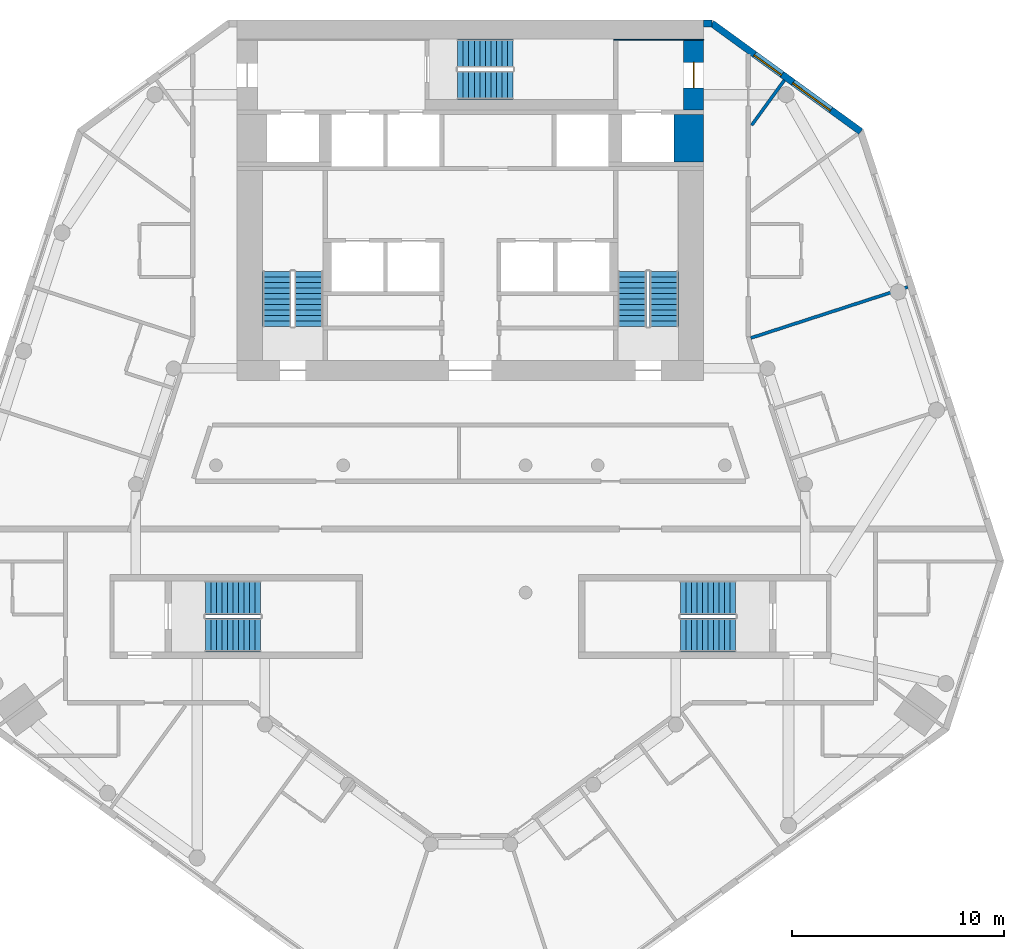
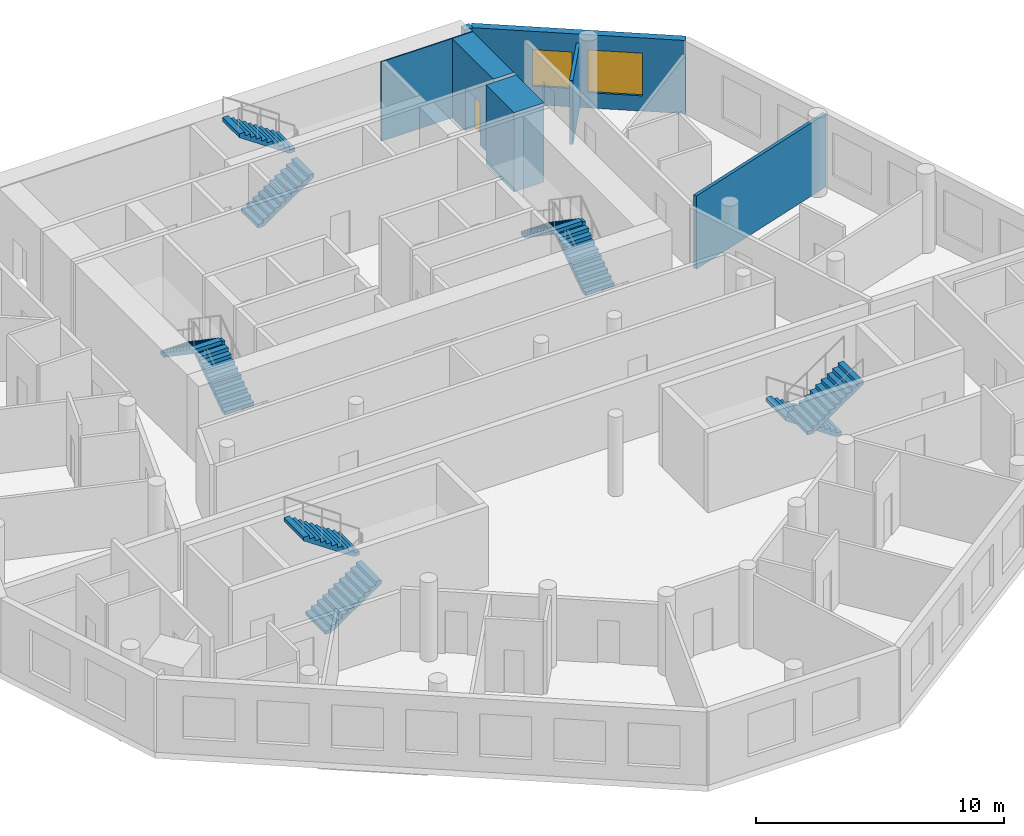
# One storey, part 7 of 9: 10 stair flights, 7 walls, 2 windows, 1 door, 3 openings, 5 elements without a shape of their own.
"""IFC4 building model written with IfcOpenShell, lengths in metres."""

from ifc_helpers import new_model, si_unit, direction, frame, frame_2d, origin, place, context, subcontext, project, spatial, polyline, rectangle, outline, extrude, material, layer, layer_set, type_object, element, fill, aggregate, save


model = new_model("IFC4")

# Units and contexts
model_context = context("Model", 3, precision=1e-05, world=origin(), true_north=direction((0.0, 1.0)))
body_context = subcontext(model_context, "Body", "Model", "MODEL_VIEW")
ifc_project = project(units=[si_unit("LENGTHUNIT", "METRE"), si_unit("AREAUNIT", "SQUARE_METRE"), si_unit("VOLUMEUNIT", "CUBIC_METRE"), si_unit("PLANEANGLEUNIT", "RADIAN"), si_unit("MASSUNIT", "GRAM", prefix="KILO")], contexts=[model_context])

# Site, building, storey
site_placement = place(None, origin())
site = spatial("IfcSite", under=ifc_project, at=site_placement, CompositionType="ELEMENT")
building_placement = place(site_placement, origin())
building = spatial("IfcBuilding", under=site, at=building_placement, Name="White Candle Pilgrim Tower", CompositionType="ELEMENT")
storey_placement = place(building_placement, frame((0.0, 0.0, 187.60009765625)))
storey = spatial("IfcBuildingStorey", under=building, at=storey_placement, Name="L43", CompositionType="ELEMENT", Elevation=187.60009765625)

# Wall
ifc_material_1 = material(Name="Concrete C60/75", Category="concrete")
ifc_layer_1 = layer(ifc_material_1, 1.39990234375)
ifc_layer_set_1 = layer_set([ifc_layer_1], Name="Core wall 1400 mm Concrete C60/75")
wall_type_1 = type_object("IfcWallType", Name="Core wall 1400 mm Concrete C60/75", PredefinedType="SHEAR", material=ifc_layer_set_1)
wall_1_placement = place(storey_placement, frame((80.300048828125, 81.300048828125, 0.0), z_axis=(0.0, 0.0, 1.0), x_axis=(0.0, 1.0, 0.0)))
element("IfcWall", 1, at=wall_1_placement, inside=storey, type_object=wall_type_1, Name="WL-L43-C45", PredefinedType="SHEAR", context=body_context, shape_type="SweptSolid", body=[
    extrude(rectangle(XDim=2.25, YDim=1.39990234375, at=frame_2d((1.125, 0.0))), origin(), (0.0, 0.0, 1.0), 3.89990234375),
])

# Wall, opening, door
ifc_layer_2 = layer(ifc_material_1, 0.949951171875)
ifc_layer_set_2 = layer_set([ifc_layer_2], Name="Core wall 950 mm Concrete C60/75")
wall_type_2 = type_object("IfcWallType", Name="Core wall 950 mm Concrete C60/75", PredefinedType="SHEAR", material=ifc_layer_set_2)
wall_2_placement = place(storey_placement, frame((80.52490234375, 83.75, 0.0), z_axis=(0.0, 0.0, 1.0), x_axis=(0.0, 1.0, 0.0)))
wall_2 = element("IfcWall", 2, at=wall_2_placement, inside=storey, type_object=wall_type_2, Name="WL-L43-C49", PredefinedType="SHEAR", context=body_context, shape_type="SweptSolid", body=[
    extrude(rectangle(XDim=3.300048828125, YDim=0.949951171875, at=frame_2d((1.64990234375, 0.0))), origin(), (0.0, 0.0, 1.0), 3.89990234375),
])
opening_1_placement = place(wall_2_placement, frame((1.050048828125, 0.0, 0.0)))
opening_1 = element("IfcOpeningElement", 3, at=opening_1_placement, cuts=wall_2, Name="Opening T13-010", PredefinedType="OPENING", context=body_context, shape_type="SweptSolid", body=[
    extrude(rectangle(XDim=1.199951171875, YDim=2.10009765625, at=frame_2d((0.60009765625, 1.050048828125))), frame((0.0, 0.48486328125, 0.0), z_axis=(0.0, -1.0, 0.0), x_axis=(1.0, 0.0, 0.0)), (0.0, 0.0, 1.0), 0.969970703125),
])
ifc_material_2 = material(Name="Steel door leaf", Category="steel")
door_type = type_object("IfcDoorType", Name="Fire door 1200 x 2100 EI 30", OperationType="NOTDEFINED", PredefinedType="DOOR", material=ifc_material_2)
door_placement = place(opening_1_placement, origin())
door = element("IfcDoor", 4, at=door_placement, inside=storey, type_object=door_type, Name="Door T13-010", OperationType="SINGLE_SWING_RIGHT", OverallHeight=2.10009765625, OverallWidth=1.199951171875, PredefinedType="DOOR", context=body_context, shape_type="SweptSolid", body=[
    extrude(rectangle(XDim=1.199951171875, YDim=2.10009765625, at=frame_2d((0.60009765625, 1.050048828125))), frame((0.0, 0.02490234375, 0.0), z_axis=(0.0, -1.0, 0.0), x_axis=(1.0, 0.0, 0.0)), (0.0, 0.0, 1.0), 0.050048828125),
])
fill(opening_1, door)

# Wall, openings, windows
ifc_material_3 = material(Name="Precast concrete C40/50", Category="concrete")
ifc_layer_3 = layer(ifc_material_3, 0.320068359375)
ifc_layer_set_3 = layer_set([ifc_layer_3], Name="Facade wall EW1 precast concrete C40/50 pier wall with timber-lined reveals")
wall_type_3 = type_object("IfcWallType", Name="Facade wall EW1 precast concrete C40/50 pier wall with timber-lined reveals", PredefinedType="SOLIDWALL", material=ifc_layer_set_3)
wall_3_placement = place(storey_placement, frame((88.408203125, 82.7373046875, 0.0), z_axis=(0.0, 0.0, 1.0), x_axis=(-0.809009624381, 0.587795396085, 0.0)))
wall_3 = element("IfcWall", 5, at=wall_3_placement, inside=storey, type_object=wall_type_3, Name="Facade wall L43 NE chamfer", PredefinedType="SOLIDWALL", context=body_context, shape_type="SweptSolid", body=[
    extrude(rectangle(XDim=8.68115234375, YDim=0.320068359375, at=frame_2d((4.340576171875, 0.0))), origin(), (0.0, 0.0, 1.0), 3.599853515625),
])
opening_2_placement = place(wall_3_placement, frame((1.740478515625, 0.0, 0.75)))
opening_2 = element("IfcOpeningElement", 6, at=opening_2_placement, cuts=wall_3, Name="Opening W4", PredefinedType="OPENING", context=body_context, shape_type="SweptSolid", body=[
    extrude(rectangle(XDim=2.199951171875, YDim=2.10009765625, at=frame_2d((1.10009765625, 1.050048828125))), frame((0.0, 0.169921875, 0.0), z_axis=(0.0, -1.0, 0.0), x_axis=(1.0, 0.0, 0.0)), (0.0, 0.0, 1.0), 0.340087890625),
])
opening_3_placement = place(wall_3_placement, frame((4.590576171875, 0.0, 0.89990234375)))
opening_3 = element("IfcOpeningElement", 7, at=opening_3_placement, cuts=wall_3, Name="Opening W2", PredefinedType="OPENING", context=body_context, shape_type="SweptSolid", body=[
    extrude(rectangle(XDim=1.60009765625, YDim=1.800048828125, at=frame_2d((0.800048828125, 0.89990234375))), frame((0.0, 0.169921875, 0.0), z_axis=(0.0, -1.0, 0.0), x_axis=(1.0, 0.0, 0.0)), (0.0, 0.0, 1.0), 0.340087890625),
])
ifc_material_4 = material(Name="Timber frame with triple glazing", Category="wood")
window_type_1 = type_object("IfcWindowType", Name="Window W2 1600x1800 timber frame triple glazing", PartitioningType="SINGLE_PANEL", PredefinedType="WINDOW", material=ifc_material_4)
window_1_placement = place(opening_3_placement, origin())
window_1 = element("IfcWindow", 8, at=window_1_placement, inside=storey, type_object=window_type_1, Name="Window W2 L43 NE chamfer 2", OverallHeight=1.800048828125, OverallWidth=1.60009765625, PartitioningType="SINGLE_PANEL", PredefinedType="WINDOW", context=body_context, shape_type="SweptSolid", body=[
    extrude(rectangle(XDim=1.60009765625, YDim=1.800048828125, at=frame_2d((0.800048828125, 0.89990234375))), frame((0.0, 0.070068359375, 0.0), z_axis=(0.0, -1.0, 0.0), x_axis=(1.0, 0.0, 0.0)), (0.0, 0.0, 1.0), 0.06005859375),
])
fill(opening_3, window_1)
window_type_2 = type_object("IfcWindowType", Name="Window W4 2200x2100 timber frame triple glazing", PartitioningType="SINGLE_PANEL", PredefinedType="WINDOW", material=ifc_material_4)
window_2_placement = place(opening_2_placement, origin())
window_2 = element("IfcWindow", 9, at=window_2_placement, inside=storey, type_object=window_type_2, Name="Window W4 L43 NE chamfer 1", OverallHeight=2.10009765625, OverallWidth=2.199951171875, PartitioningType="SINGLE_PANEL", PredefinedType="WINDOW", context=body_context, shape_type="SweptSolid", body=[
    extrude(rectangle(XDim=2.199951171875, YDim=2.10009765625, at=frame_2d((1.10009765625, 1.050048828125))), frame((0.0, 0.070068359375, 0.0), z_axis=(0.0, -1.0, 0.0), x_axis=(1.0, 0.0, 0.0)), (0.0, 0.0, 1.0), 0.06005859375),
])
fill(opening_2, window_2)

# Walls
wall_4_placement = place(storey_placement, frame((81.385009765625, 87.840087890625, 0.0), z_axis=(0.0, 0.0, 1.0), x_axis=(-1.0, 0.0, 0.0)))
element("IfcWall", 10, at=wall_4_placement, inside=storey, type_object=wall_type_3, Name="Facade wall L43 N", PredefinedType="SOLIDWALL", context=body_context, shape_type="SweptSolid", body=[
    extrude(rectangle(XDim=0.385009765625, YDim=0.320068359375, at=frame_2d((0.1923828125, 0.0))), origin(), (0.0, 0.0, 1.0), 3.599853515625),
])
ifc_material_5 = material(Name="Gypsum board on steel studs", Category="steel")
ifc_layer_4 = layer(ifc_material_5, 0.14990234375)
ifc_layer_set_4 = layer_set([ifc_layer_4], Name="Partition 150 mm EI 60")
wall_type_4 = type_object("IfcWallType", Name="Partition 150 mm EI 60", PredefinedType="PARTITIONING", material=ifc_layer_set_4)
wall_5_placement = place(storey_placement, frame((90.62158203125, 75.40771484375, 0.0), z_axis=(0.0, 0.0, 1.0), x_axis=(-0.951062659592, -0.308998086611, 0.0)))
element("IfcWall", 11, at=wall_5_placement, inside=storey, type_object=wall_type_4, Name="WL-L43-P052", PredefinedType="PARTITIONING", context=body_context, shape_type="SweptSolid", body=[
    extrude(rectangle(XDim=7.7802734375, YDim=0.14990234375, at=frame_2d((3.89013671875, 0.0))), origin(), (0.0, 0.0, 1.0), 3.599853515625),
])
wall_6_placement = place(storey_placement, frame((84.802490234375, 85.1591796875, 0.0), z_axis=(0.0, 0.0, 1.0), x_axis=(-0.587778694089, -0.809021759148, 0.0)))
element("IfcWall", 12, at=wall_6_placement, inside=storey, type_object=wall_type_4, Name="WL-L43-P058", PredefinedType="PARTITIONING", context=body_context, shape_type="SweptSolid", body=[
    extrude(rectangle(XDim=2.623046875, YDim=0.14990234375, at=frame_2d((1.3115234375, 0.0))), origin(), (0.0, 0.0, 1.0), 3.14990234375),
])
ifc_layer_5 = layer(ifc_material_1, 0.050048828125)
ifc_layer_set_5 = layer_set([ifc_layer_5], Name="Stair shaft wall 50 mm Concrete C60/75")
wall_type_5 = type_object("IfcWallType", Name="Stair shaft wall 50 mm Concrete C60/75", PredefinedType="SHEAR", material=ifc_layer_set_5)
wall_7_placement = place(storey_placement, frame((76.75, 87.074951171875, 0.0), z_axis=(0.0, 0.0, 1.0), x_axis=(1.0, 0.0, 0.0)))
element("IfcWall", 13, at=wall_7_placement, inside=storey, type_object=wall_type_5, Name="WL-L43-C53", PredefinedType="SHEAR", context=body_context, shape_type="SweptSolid", body=[
    extrude(rectangle(XDim=4.25, YDim=0.050048828125, at=frame_2d((2.125, 0.0))), origin(), (0.0, 0.0, 1.0), 3.89990234375),
])

# Stair, stair flights
ifc_material_6 = material(Name="Concrete C40/50", Category="concrete")
stair_type_1 = type_object("IfcStairType", Name="Exit stair 1 flight width 1350 mm", PredefinedType="HALF_TURN_STAIR", material=ifc_material_6)
stair_1_placement = place(storey_placement, origin())
stair_1 = element("IfcStair", 14, at=stair_1_placement, inside=storey, type_object=stair_type_1, Name="L43 stair 1", PredefinedType="NOTDEFINED")
ifc_layer_6 = layer(ifc_material_6, 0.14990234375)
ifc_layer_set_6 = layer_set([ifc_layer_6], Name="Stair flight Concrete C40/50")
stair_flight_type = type_object("IfcStairFlightType", Name="Stair flight Concrete C40/50", PredefinedType="STRAIGHT", material=ifc_layer_set_6)
stair_flight_1_placement = place(storey_placement, frame((62.375, 73.550048828125, 0.0), z_axis=(0.0, 0.0, 1.0), x_axis=(0.0, 1.0, 0.0)))
stair_flight_1 = element("IfcStairFlight", 15, at=stair_flight_1_placement, type_object=stair_flight_type, Name="ST1 flight 1", NumberOfRisers=11, NumberOfTreads=10, PredefinedType="NOTDEFINED", RiserHeight=0.177272727, TreadLength=0.26, context=body_context, shape_type="SweptSolid", body=[
    extrude(outline(polyline([(0.0, 0.0), (0.0, 0.17724609375), (0.260009765625, 0.17724609375), (0.260009765625, 0.3544921875), (0.52001953125, 0.3544921875), (0.52001953125, 0.53173828125), (0.780029296875, 0.53173828125), (0.780029296875, 0.708984375), (1.0400390625, 0.708984375), (1.0400390625, 0.886474609375), (1.300048828125, 0.886474609375), (1.300048828125, 1.063720703125), (1.56005859375, 1.063720703125), (1.56005859375, 1.240966796875), (1.820068359375, 1.240966796875), (1.820068359375, 1.418212890625), (2.080078125, 1.418212890625), (2.080078125, 1.595458984375), (2.340087890625, 1.595458984375), (2.340087890625, 1.772705078125), (2.60009765625, 1.772705078125), (2.60009765625, 1.949951171875), (2.60009765625, 1.59130859375), (0.26611328125, 0.0), (0.0, 0.0)])), frame((0.0, 0.675048828125, 0.0), z_axis=(0.0, -1.0, 0.0), x_axis=(1.0, 0.0, 0.0)), (0.0, 0.0, 1.0), 1.35009765625),
])
stair_flight_2_placement = place(storey_placement, frame((60.875, 76.14990234375, 1.949951171875), z_axis=(0.0, 0.0, 1.0), x_axis=(0.0, -1.0, 0.0)))
stair_flight_2 = element("IfcStairFlight", 16, at=stair_flight_2_placement, type_object=stair_flight_type, Name="ST1 flight 2", NumberOfRisers=11, NumberOfTreads=10, PredefinedType="NOTDEFINED", RiserHeight=0.177272727, TreadLength=0.26, context=body_context, shape_type="SweptSolid", body=[
    extrude(outline(polyline([(0.0, 0.0), (0.0, 0.17724609375), (0.260009765625, 0.17724609375), (0.260009765625, 0.3544921875), (0.52001953125, 0.3544921875), (0.52001953125, 0.53173828125), (0.780029296875, 0.53173828125), (0.780029296875, 0.708984375), (1.0400390625, 0.708984375), (1.0400390625, 0.886474609375), (1.300048828125, 0.886474609375), (1.300048828125, 1.063720703125), (1.56005859375, 1.063720703125), (1.56005859375, 1.240966796875), (1.820068359375, 1.240966796875), (1.820068359375, 1.418212890625), (2.080078125, 1.418212890625), (2.080078125, 1.595458984375), (2.340087890625, 1.595458984375), (2.340087890625, 1.772705078125), (2.60009765625, 1.772705078125), (2.60009765625, 1.949951171875), (2.60009765625, 1.59130859375), (0.26611328125, 0.0), (0.0, 0.0)])), frame((0.0, 0.675048828125, 0.0), z_axis=(0.0, -1.0, 0.0), x_axis=(1.0, 0.0, 0.0)), (0.0, 0.0, 1.0), 1.35009765625),
])
aggregate(stair_1, [stair_flight_1, stair_flight_2])

stair_type_2 = type_object("IfcStairType", Name="Exit stair 2 flight width 1350 mm", PredefinedType="HALF_TURN_STAIR", material=ifc_material_6)
stair_2_placement = place(storey_placement, origin())
stair_2 = element("IfcStair", 17, at=stair_2_placement, inside=storey, type_object=stair_type_2, Name="L43 stair 2", PredefinedType="NOTDEFINED")
stair_flight_3_placement = place(storey_placement, frame((79.125, 73.550048828125, 0.0), z_axis=(0.0, 0.0, 1.0), x_axis=(0.0, 1.0, 0.0)))
stair_flight_3 = element("IfcStairFlight", 18, at=stair_flight_3_placement, type_object=stair_flight_type, Name="ST2 flight 1", NumberOfRisers=11, NumberOfTreads=10, PredefinedType="NOTDEFINED", RiserHeight=0.177272727, TreadLength=0.26, context=body_context, shape_type="SweptSolid", body=[
    extrude(outline(polyline([(0.0, 0.0), (0.0, 0.17724609375), (0.260009765625, 0.17724609375), (0.260009765625, 0.3544921875), (0.52001953125, 0.3544921875), (0.52001953125, 0.53173828125), (0.780029296875, 0.53173828125), (0.780029296875, 0.708984375), (1.0400390625, 0.708984375), (1.0400390625, 0.886474609375), (1.300048828125, 0.886474609375), (1.300048828125, 1.063720703125), (1.56005859375, 1.063720703125), (1.56005859375, 1.240966796875), (1.820068359375, 1.240966796875), (1.820068359375, 1.418212890625), (2.080078125, 1.418212890625), (2.080078125, 1.595458984375), (2.340087890625, 1.595458984375), (2.340087890625, 1.772705078125), (2.60009765625, 1.772705078125), (2.60009765625, 1.949951171875), (2.60009765625, 1.59130859375), (0.26611328125, 0.0), (0.0, 0.0)])), frame((0.0, 0.675048828125, 0.0), z_axis=(0.0, -1.0, 0.0), x_axis=(1.0, 0.0, 0.0)), (0.0, 0.0, 1.0), 1.35009765625),
])
stair_flight_4_placement = place(storey_placement, frame((77.625, 76.14990234375, 1.949951171875), z_axis=(0.0, 0.0, 1.0), x_axis=(0.0, -1.0, 0.0)))
stair_flight_4 = element("IfcStairFlight", 19, at=stair_flight_4_placement, type_object=stair_flight_type, Name="ST2 flight 2", NumberOfRisers=11, NumberOfTreads=10, PredefinedType="NOTDEFINED", RiserHeight=0.177272727, TreadLength=0.26, context=body_context, shape_type="SweptSolid", body=[
    extrude(outline(polyline([(0.0, 0.0), (0.0, 0.17724609375), (0.260009765625, 0.17724609375), (0.260009765625, 0.3544921875), (0.52001953125, 0.3544921875), (0.52001953125, 0.53173828125), (0.780029296875, 0.53173828125), (0.780029296875, 0.708984375), (1.0400390625, 0.708984375), (1.0400390625, 0.886474609375), (1.300048828125, 0.886474609375), (1.300048828125, 1.063720703125), (1.56005859375, 1.063720703125), (1.56005859375, 1.240966796875), (1.820068359375, 1.240966796875), (1.820068359375, 1.418212890625), (2.080078125, 1.418212890625), (2.080078125, 1.595458984375), (2.340087890625, 1.595458984375), (2.340087890625, 1.772705078125), (2.60009765625, 1.772705078125), (2.60009765625, 1.949951171875), (2.60009765625, 1.59130859375), (0.26611328125, 0.0), (0.0, 0.0)])), frame((0.0, 0.675048828125, 0.0), z_axis=(0.0, -1.0, 0.0), x_axis=(1.0, 0.0, 0.0)), (0.0, 0.0, 1.0), 1.35009765625),
])
aggregate(stair_2, [stair_flight_3, stair_flight_4])

stair_type_3 = type_object("IfcStairType", Name="Exit stair 3 flight width 1350 mm", PredefinedType="HALF_TURN_STAIR", material=ifc_material_6)
stair_3_placement = place(storey_placement, origin())
stair_3 = element("IfcStair", 20, at=stair_3_placement, inside=storey, type_object=stair_type_3, Name="L43 stair 3", PredefinedType="NOTDEFINED")
stair_flight_5_placement = place(storey_placement, frame((69.39990234375, 84.925048828125, 0.0), z_axis=(0.0, 0.0, 1.0), x_axis=(1.0, 0.0, 0.0)))
stair_flight_5 = element("IfcStairFlight", 21, at=stair_flight_5_placement, type_object=stair_flight_type, Name="ST3 flight 1", NumberOfRisers=11, NumberOfTreads=10, PredefinedType="NOTDEFINED", RiserHeight=0.177272727, TreadLength=0.26, context=body_context, shape_type="SweptSolid", body=[
    extrude(outline(polyline([(0.0, 0.0), (0.0, 0.17724609375), (0.260009765625, 0.17724609375), (0.260009765625, 0.3544921875), (0.52001953125, 0.3544921875), (0.52001953125, 0.53173828125), (0.780029296875, 0.53173828125), (0.780029296875, 0.708984375), (1.0400390625, 0.708984375), (1.0400390625, 0.886474609375), (1.300048828125, 0.886474609375), (1.300048828125, 1.063720703125), (1.56005859375, 1.063720703125), (1.56005859375, 1.240966796875), (1.820068359375, 1.240966796875), (1.820068359375, 1.418212890625), (2.080078125, 1.418212890625), (2.080078125, 1.595458984375), (2.340087890625, 1.595458984375), (2.340087890625, 1.772705078125), (2.60009765625, 1.772705078125), (2.60009765625, 1.949951171875), (2.60009765625, 1.59130859375), (0.26611328125, 0.0), (0.0, 0.0)])), frame((0.0, 0.675048828125, 0.0), z_axis=(0.0, -1.0, 0.0), x_axis=(1.0, 0.0, 0.0)), (0.0, 0.0, 1.0), 1.35009765625),
])
stair_flight_6_placement = place(storey_placement, frame((72.0, 86.425048828125, 1.949951171875), z_axis=(0.0, 0.0, 1.0), x_axis=(-1.0, 0.0, 0.0)))
stair_flight_6 = element("IfcStairFlight", 22, at=stair_flight_6_placement, type_object=stair_flight_type, Name="ST3 flight 2", NumberOfRisers=11, NumberOfTreads=10, PredefinedType="NOTDEFINED", RiserHeight=0.177272727, TreadLength=0.26, context=body_context, shape_type="SweptSolid", body=[
    extrude(outline(polyline([(0.0, 0.0), (0.0, 0.17724609375), (0.260009765625, 0.17724609375), (0.260009765625, 0.3544921875), (0.52001953125, 0.3544921875), (0.52001953125, 0.53173828125), (0.780029296875, 0.53173828125), (0.780029296875, 0.708984375), (1.0400390625, 0.708984375), (1.0400390625, 0.886474609375), (1.300048828125, 0.886474609375), (1.300048828125, 1.063720703125), (1.56005859375, 1.063720703125), (1.56005859375, 1.240966796875), (1.820068359375, 1.240966796875), (1.820068359375, 1.418212890625), (2.080078125, 1.418212890625), (2.080078125, 1.595458984375), (2.340087890625, 1.595458984375), (2.340087890625, 1.772705078125), (2.60009765625, 1.772705078125), (2.60009765625, 1.949951171875), (2.60009765625, 1.59130859375), (0.26611328125, 0.0), (0.0, 0.0)])), frame((0.0, 0.675048828125, 0.0), z_axis=(0.0, -1.0, 0.0), x_axis=(1.0, 0.0, 0.0)), (0.0, 0.0, 1.0), 1.35009765625),
])
aggregate(stair_3, [stair_flight_5, stair_flight_6])

stair_type_4 = type_object("IfcStairType", Name="Exit stair 4 flight width 1600 mm", PredefinedType="HALF_TURN_STAIR", material=ifc_material_6)
stair_4_placement = place(storey_placement, origin())
stair_4 = element("IfcStair", 23, at=stair_4_placement, inside=storey, type_object=stair_type_4, Name="L43 stair 4", PredefinedType="NOTDEFINED")
stair_flight_7_placement = place(storey_placement, frame((82.5, 60.75, 0.0), z_axis=(0.0, 0.0, 1.0), x_axis=(-1.0, 0.0, 0.0)))
stair_flight_7 = element("IfcStairFlight", 24, at=stair_flight_7_placement, type_object=stair_flight_type, Name="ST4 flight 1", NumberOfRisers=11, NumberOfTreads=10, PredefinedType="NOTDEFINED", RiserHeight=0.177272727, TreadLength=0.26, context=body_context, shape_type="SweptSolid", body=[
    extrude(outline(polyline([(0.0, 0.0), (0.0, 0.17724609375), (0.260009765625, 0.17724609375), (0.260009765625, 0.3544921875), (0.52001953125, 0.3544921875), (0.52001953125, 0.53173828125), (0.780029296875, 0.53173828125), (0.780029296875, 0.708984375), (1.0400390625, 0.708984375), (1.0400390625, 0.886474609375), (1.300048828125, 0.886474609375), (1.300048828125, 1.063720703125), (1.56005859375, 1.063720703125), (1.56005859375, 1.240966796875), (1.820068359375, 1.240966796875), (1.820068359375, 1.418212890625), (2.080078125, 1.418212890625), (2.080078125, 1.595458984375), (2.340087890625, 1.595458984375), (2.340087890625, 1.772705078125), (2.60009765625, 1.772705078125), (2.60009765625, 1.949951171875), (2.60009765625, 1.59130859375), (0.26611328125, 0.0), (0.0, 0.0)])), frame((0.0, 0.800048828125, 0.0), z_axis=(0.0, -1.0, 0.0), x_axis=(1.0, 0.0, 0.0)), (0.0, 0.0, 1.0), 1.60009765625),
])
stair_flight_8_placement = place(storey_placement, frame((79.89990234375, 59.0, 1.949951171875), z_axis=(0.0, 0.0, 1.0), x_axis=(1.0, 0.0, 0.0)))
stair_flight_8 = element("IfcStairFlight", 25, at=stair_flight_8_placement, type_object=stair_flight_type, Name="ST4 flight 2", NumberOfRisers=11, NumberOfTreads=10, PredefinedType="NOTDEFINED", RiserHeight=0.177272727, TreadLength=0.26, context=body_context, shape_type="SweptSolid", body=[
    extrude(outline(polyline([(0.0, 0.0), (0.0, 0.17724609375), (0.260009765625, 0.17724609375), (0.260009765625, 0.3544921875), (0.52001953125, 0.3544921875), (0.52001953125, 0.53173828125), (0.780029296875, 0.53173828125), (0.780029296875, 0.708984375), (1.0400390625, 0.708984375), (1.0400390625, 0.886474609375), (1.300048828125, 0.886474609375), (1.300048828125, 1.063720703125), (1.56005859375, 1.063720703125), (1.56005859375, 1.240966796875), (1.820068359375, 1.240966796875), (1.820068359375, 1.418212890625), (2.080078125, 1.418212890625), (2.080078125, 1.595458984375), (2.340087890625, 1.595458984375), (2.340087890625, 1.772705078125), (2.60009765625, 1.772705078125), (2.60009765625, 1.949951171875), (2.60009765625, 1.59130859375), (0.26611328125, 0.0), (0.0, 0.0)])), frame((0.0, 0.800048828125, 0.0), z_axis=(0.0, -1.0, 0.0), x_axis=(1.0, 0.0, 0.0)), (0.0, 0.0, 1.0), 1.60009765625),
])
aggregate(stair_4, [stair_flight_7, stair_flight_8])

stair_type_5 = type_object("IfcStairType", Name="Exit stair 5 flight width 1600 mm", PredefinedType="HALF_TURN_STAIR", material=ifc_material_6)
stair_5_placement = place(storey_placement, origin())
stair_5 = element("IfcStair", 26, at=stair_5_placement, inside=storey, type_object=stair_type_5, Name="L43 stair 5", PredefinedType="NOTDEFINED")
stair_flight_9_placement = place(storey_placement, frame((57.5, 59.0, 0.0), z_axis=(0.0, 0.0, 1.0), x_axis=(1.0, 0.0, 0.0)))
stair_flight_9 = element("IfcStairFlight", 27, at=stair_flight_9_placement, type_object=stair_flight_type, Name="ST5 flight 1", NumberOfRisers=11, NumberOfTreads=10, PredefinedType="NOTDEFINED", RiserHeight=0.177272727, TreadLength=0.26, context=body_context, shape_type="SweptSolid", body=[
    extrude(outline(polyline([(0.0, 0.0), (0.0, 0.17724609375), (0.260009765625, 0.17724609375), (0.260009765625, 0.3544921875), (0.52001953125, 0.3544921875), (0.52001953125, 0.53173828125), (0.780029296875, 0.53173828125), (0.780029296875, 0.708984375), (1.0400390625, 0.708984375), (1.0400390625, 0.886474609375), (1.300048828125, 0.886474609375), (1.300048828125, 1.063720703125), (1.56005859375, 1.063720703125), (1.56005859375, 1.240966796875), (1.820068359375, 1.240966796875), (1.820068359375, 1.418212890625), (2.080078125, 1.418212890625), (2.080078125, 1.595458984375), (2.340087890625, 1.595458984375), (2.340087890625, 1.772705078125), (2.60009765625, 1.772705078125), (2.60009765625, 1.949951171875), (2.60009765625, 1.59130859375), (0.26611328125, 0.0), (0.0, 0.0)])), frame((0.0, 0.800048828125, 0.0), z_axis=(0.0, -1.0, 0.0), x_axis=(1.0, 0.0, 0.0)), (0.0, 0.0, 1.0), 1.60009765625),
])
stair_flight_10_placement = place(storey_placement, frame((60.10009765625, 60.75, 1.949951171875), z_axis=(0.0, 0.0, 1.0), x_axis=(-1.0, 0.0, 0.0)))
stair_flight_10 = element("IfcStairFlight", 28, at=stair_flight_10_placement, type_object=stair_flight_type, Name="ST5 flight 2", NumberOfRisers=11, NumberOfTreads=10, PredefinedType="NOTDEFINED", RiserHeight=0.177272727, TreadLength=0.26, context=body_context, shape_type="SweptSolid", body=[
    extrude(outline(polyline([(0.0, 0.0), (0.0, 0.17724609375), (0.260009765625, 0.17724609375), (0.260009765625, 0.3544921875), (0.52001953125, 0.3544921875), (0.52001953125, 0.53173828125), (0.780029296875, 0.53173828125), (0.780029296875, 0.708984375), (1.0400390625, 0.708984375), (1.0400390625, 0.886474609375), (1.300048828125, 0.886474609375), (1.300048828125, 1.063720703125), (1.56005859375, 1.063720703125), (1.56005859375, 1.240966796875), (1.820068359375, 1.240966796875), (1.820068359375, 1.418212890625), (2.080078125, 1.418212890625), (2.080078125, 1.595458984375), (2.340087890625, 1.595458984375), (2.340087890625, 1.772705078125), (2.60009765625, 1.772705078125), (2.60009765625, 1.949951171875), (2.60009765625, 1.59130859375), (0.26611328125, 0.0), (0.0, 0.0)])), frame((0.0, 0.800048828125, 0.0), z_axis=(0.0, -1.0, 0.0), x_axis=(1.0, 0.0, 0.0)), (0.0, 0.0, 1.0), 1.60009765625),
])
aggregate(stair_5, [stair_flight_9, stair_flight_10])

save(model, "model.ifc")
